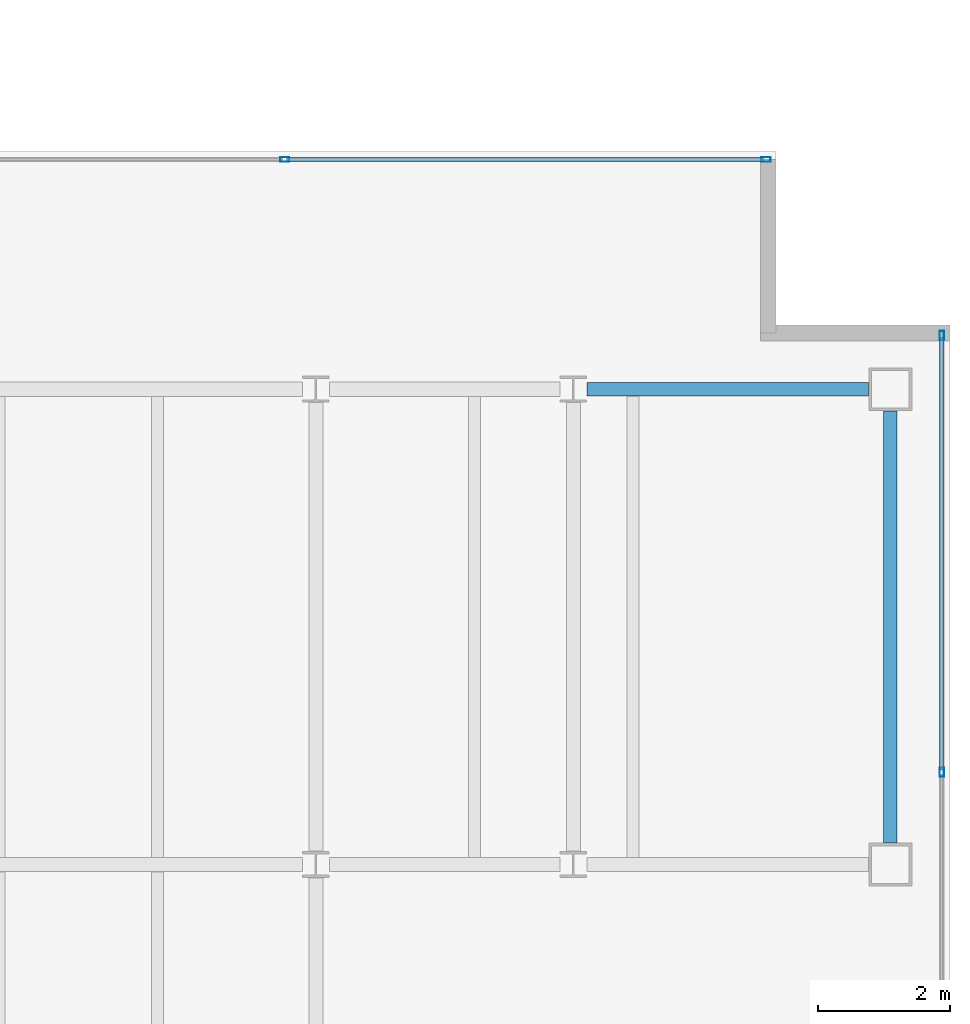
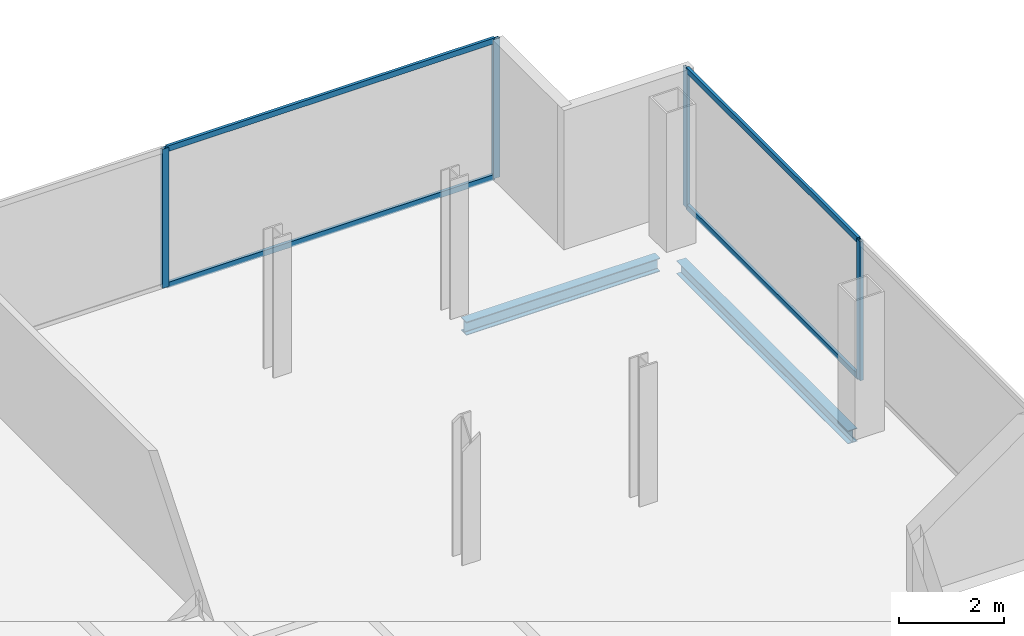
# One storey, part 16 of 23: 8 members, 2 beams, 2 elements without a shape of their own.
"""IFC4 building model written with IfcOpenShell, lengths in metres."""

from ifc_helpers import new_model, si_unit, direction, frame, origin, origin_2d, place, context, subcontext, project, spatial, hollow_rectangle, i_section, extrude, material, material_profile, profile_set, type_object, element, aggregate, save


model = new_model("IFC4")

# Units and contexts
model_context = context("Model", 3, precision=1e-05, world=origin(), true_north=direction((0.0, 1.0)))
body_context = subcontext(model_context, "Body", "Model", "MODEL_VIEW")
ifc_project = project(units=[si_unit("LENGTHUNIT", "METRE"), si_unit("AREAUNIT", "SQUARE_METRE"), si_unit("VOLUMEUNIT", "CUBIC_METRE"), si_unit("PLANEANGLEUNIT", "RADIAN"), si_unit("MASSUNIT", "GRAM", prefix="KILO")], contexts=[model_context])

# Site, building, storey
site_placement = place(None, origin())
site = spatial("IfcSite", under=ifc_project, at=site_placement, CompositionType="ELEMENT")
building_placement = place(site_placement, origin())
building = spatial("IfcBuilding", under=site, at=building_placement, Name="Cobrela Telecom Tower", CompositionType="ELEMENT")
storey_placement = place(building_placement, frame((0.0, 0.0, 276.14990234375)))
storey = spatial("IfcBuildingStorey", under=building, at=storey_placement, Name="L72", CompositionType="ELEMENT", Elevation=276.14990234375)

# Beams
ifc_material_1 = material(Name="Steel ASTM A992 Grade 50", Category="steel")
ifc_material_profile_1 = material_profile(ifc_material_1, i_section(OverallWidth=0.205078125, OverallDepth=0.31005859375, WebThickness=0.009521484375, FlangeThickness=0.016357421875, FilletRadius=0.010986328125, at=origin_2d()), Name="W12X50")
ifc_profile_set_1 = profile_set([ifc_material_profile_1], Name="Steel ASTM A992 Grade 50")
beam_type = type_object("IfcBeamType", Name="BM-SPAND-07", PredefinedType="SPANDREL", material=ifc_profile_set_1)
beam_1_placement = place(storey_placement, frame((40.1044921875, 21.60009765625, -0.414794921875), z_axis=(1.0, 0.0, 0.0), x_axis=(0.0, 1.0, 0.0)))
element("IfcBeam", 1, at=beam_1_placement, inside=storey, type_object=beam_type, Name="L72 Perimeter Spandrel X14", PredefinedType="SPANDREL", context=body_context, shape_type="SweptSolid", body=[
    extrude(i_section(OverallWidth=0.205078125, OverallDepth=0.31005859375, WebThickness=0.009521484375, FlangeThickness=0.016357421875, FilletRadius=0.010986328125, at=origin_2d()), origin(), (0.0, 0.0, 1.0), 4.265625),
])
beam_2_placement = place(storey_placement, frame((44.699951171875, 14.72998046875, -0.414794921875), z_axis=(0.0, 1.0, 0.0), x_axis=(-1.0, 0.0, 0.0)))
element("IfcBeam", 2, at=beam_2_placement, inside=storey, type_object=beam_type, Name="L72 Perimeter Spandrel Y34", PredefinedType="SPANDREL", context=body_context, shape_type="SweptSolid", body=[
    extrude(i_section(OverallWidth=0.205078125, OverallDepth=0.31005859375, WebThickness=0.009521484375, FlangeThickness=0.016357421875, FilletRadius=0.010986328125, at=origin_2d()), origin(), (0.0, 0.0, 1.0), 6.5400390625),
])

# Curtain wall, members
ifc_material_2 = material(Name="Anodized Bronze Aluminium 6063-T6", Category="aluminium")
curtain_wall_type = type_object("IfcCurtainWallType", Name="CW-SYS-OFF-HI", PredefinedType="USERDEFINED", material=ifc_material_2)
curtain_wall_1_placement = place(storey_placement, origin())
curtain_wall_1 = element("IfcCurtainWall", 3, at=curtain_wall_1_placement, inside=storey, type_object=curtain_wall_type, Name="L72 Unitised Bronze Curtain Wall 09", ObjectType="UNITISED CURTAIN WALL", PredefinedType="USERDEFINED")
ifc_material_profile_2 = material_profile(ifc_material_2, hollow_rectangle(XDim=0.070068359375, YDim=0.139892578125, WallThickness=0.00390625, at=origin_2d()), Name="ALU 70x140x4")
ifc_profile_set_2 = profile_set([ifc_material_profile_2], Name="Anodized Bronze Aluminium 6063-T6")
member_type_1 = type_object("IfcMemberType", Name="CW-SYS-OFF-HI-MUL", PredefinedType="MULLION", material=ifc_profile_set_2)
member_1_placement = place(storey_placement, frame((35.526611328125, 25.080078125, 0.0), z_axis=(0.0, 0.0, 1.0), x_axis=(0.0, 1.0, 0.0)))
member_1 = element("IfcMember", 4, at=member_1_placement, type_object=member_type_1, Name="CW-OFF-HI mullion 3", PredefinedType="MULLION", context=body_context, shape_type="SweptSolid", body=[
    extrude(hollow_rectangle(XDim=0.070068359375, YDim=0.139892578125, WallThickness=0.00390625, at=origin_2d()), origin(), (0.0, 0.0, 1.0), 3.239990234375),
])
member_2_placement = place(storey_placement, frame((42.81494140625, 25.080078125, 0.0), z_axis=(0.0, 0.0, 1.0), x_axis=(0.0, 1.0, 0.0)))
member_2 = element("IfcMember", 5, at=member_2_placement, type_object=member_type_1, Name="CW-OFF-HI mullion 4", PredefinedType="MULLION", context=body_context, shape_type="SweptSolid", body=[
    extrude(hollow_rectangle(XDim=0.070068359375, YDim=0.139892578125, WallThickness=0.00390625, at=origin_2d()), origin(), (0.0, 0.0, 1.0), 3.239990234375),
])

curtain_wall_2_placement = place(storey_placement, origin())
curtain_wall_2 = element("IfcCurtainWall", 6, at=curtain_wall_2_placement, inside=storey, type_object=curtain_wall_type, Name="L72 Unitised Bronze Curtain Wall 12", ObjectType="UNITISED CURTAIN WALL", PredefinedType="USERDEFINED")
member_3_placement = place(storey_placement, frame((45.47998046875, 22.4150390625, 0.0), z_axis=(0.0, 0.0, 1.0), x_axis=(1.0, 0.0, 0.0)))
member_3 = element("IfcMember", 7, at=member_3_placement, type_object=member_type_1, Name="CW-OFF-HI mullion 1", PredefinedType="MULLION", context=body_context, shape_type="SweptSolid", body=[
    extrude(hollow_rectangle(XDim=0.070068359375, YDim=0.139892578125, WallThickness=0.00390625, at=origin_2d()), origin(), (0.0, 0.0, 1.0), 3.239990234375),
])
member_4_placement = place(storey_placement, frame((45.47998046875, 15.800048828125, 0.0), z_axis=(0.0, 0.0, 1.0), x_axis=(1.0, 0.0, 0.0)))
member_4 = element("IfcMember", 8, at=member_4_placement, type_object=member_type_1, Name="CW-OFF-HI mullion 2", PredefinedType="MULLION", context=body_context, shape_type="SweptSolid", body=[
    extrude(hollow_rectangle(XDim=0.070068359375, YDim=0.139892578125, WallThickness=0.00390625, at=origin_2d()), origin(), (0.0, 0.0, 1.0), 3.239990234375),
])

# Member
ifc_material_profile_3 = material_profile(ifc_material_2, hollow_rectangle(XDim=0.06494140625, YDim=0.1298828125, WallThickness=0.00390625, at=origin_2d()), Name="ALU 65x130x4")
ifc_profile_set_3 = profile_set([ifc_material_profile_3], Name="Anodized Bronze Aluminium 6063-T6")
member_type_2 = type_object("IfcMemberType", Name="CW-SYS-OFF-HI-TRN", PredefinedType="USERDEFINED", material=ifc_profile_set_3)
member_5_placement = place(storey_placement, frame((35.561767578125, 25.080078125, 0.03271484375), z_axis=(1.0, 0.0, 0.0), x_axis=(0.0, 1.0, 0.0)))
member_5 = element("IfcMember", 9, at=member_5_placement, type_object=member_type_2, Name="CW-OFF-HI transom 3.1", ObjectType="TRANSOM", PredefinedType="USERDEFINED", context=body_context, shape_type="SweptSolid", body=[
    extrude(hollow_rectangle(XDim=0.06494140625, YDim=0.1298828125, WallThickness=0.00390625, at=origin_2d()), origin(), (0.0, 0.0, 1.0), 7.21826171875),
])

member_6_placement = place(storey_placement, frame((35.561767578125, 25.080078125, 3.20751953125), z_axis=(1.0, 0.0, 0.0), x_axis=(0.0, 1.0, 0.0)))
member_6 = element("IfcMember", 10, at=member_6_placement, type_object=member_type_2, Name="CW-OFF-HI transom 3.2", ObjectType="TRANSOM", PredefinedType="USERDEFINED", context=body_context, shape_type="SweptSolid", body=[
    extrude(hollow_rectangle(XDim=0.06494140625, YDim=0.1298828125, WallThickness=0.00390625, at=origin_2d()), origin(), (0.0, 0.0, 1.0), 7.21826171875),
])

aggregate(curtain_wall_1, [member_1, member_2, member_5, member_6])

member_7_placement = place(storey_placement, frame((45.47998046875, 22.3798828125, 0.03271484375), z_axis=(0.0, -1.0, 0.0), x_axis=(1.0, 0.0, 0.0)))
member_7 = element("IfcMember", 11, at=member_7_placement, type_object=member_type_2, Name="CW-OFF-HI transom 1.1", ObjectType="TRANSOM", PredefinedType="USERDEFINED", context=body_context, shape_type="SweptSolid", body=[
    extrude(hollow_rectangle(XDim=0.06494140625, YDim=0.1298828125, WallThickness=0.00390625, at=origin_2d()), origin(), (0.0, 0.0, 1.0), 6.544921875),
])

member_8_placement = place(storey_placement, frame((45.47998046875, 22.3798828125, 3.20751953125), z_axis=(0.0, -1.0, 0.0), x_axis=(1.0, 0.0, 0.0)))
member_8 = element("IfcMember", 12, at=member_8_placement, type_object=member_type_2, Name="CW-OFF-HI transom 1.2", ObjectType="TRANSOM", PredefinedType="USERDEFINED", context=body_context, shape_type="SweptSolid", body=[
    extrude(hollow_rectangle(XDim=0.06494140625, YDim=0.1298828125, WallThickness=0.00390625, at=origin_2d()), origin(), (0.0, 0.0, 1.0), 6.544921875),
])

aggregate(curtain_wall_2, [member_3, member_4, member_7, member_8])

save(model, "model.ifc")
